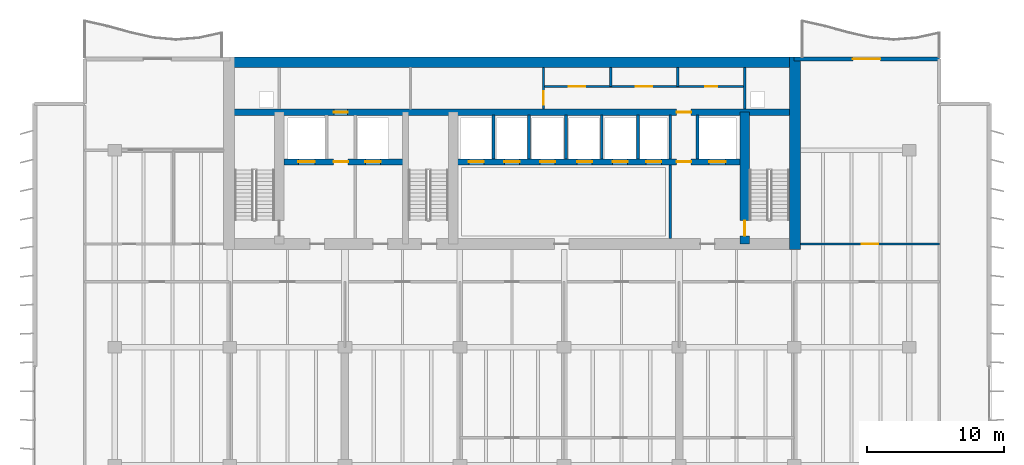
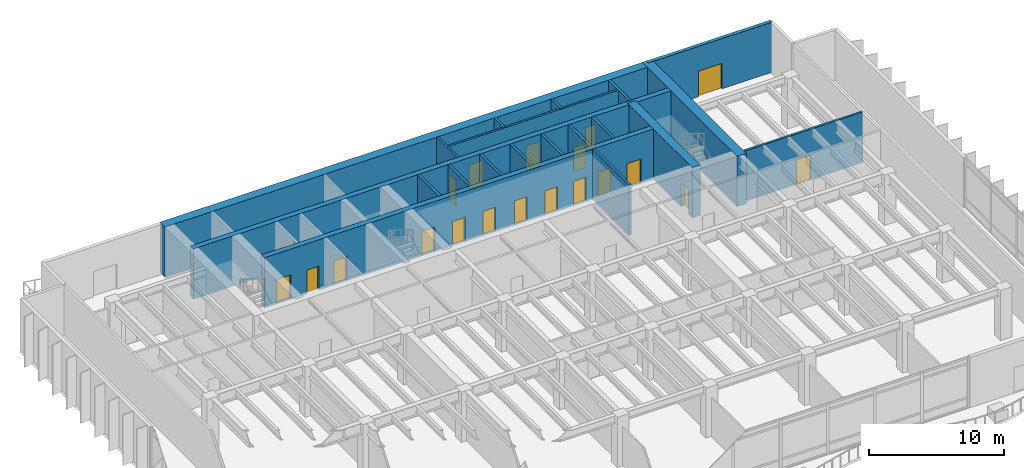
# One storey, part 11 of 16: 20 doors, 20 walls, 20 openings.
"""IFC4 building model written with IfcOpenShell, lengths in metres."""

from ifc_helpers import new_model, si_unit, direction, frame, frame_2d, origin, place, context, subcontext, project, spatial, rectangle, extrude, material, layer, layer_set, type_object, element, fill, save


model = new_model("IFC4")

# Units and contexts
model_context = context("Model", 3, precision=1e-05, world=origin(), true_north=direction((0.0, 1.0)))
body_context = subcontext(model_context, "Body", "Model", "MODEL_VIEW")
ifc_project = project(units=[si_unit("LENGTHUNIT", "METRE"), si_unit("AREAUNIT", "SQUARE_METRE"), si_unit("VOLUMEUNIT", "CUBIC_METRE"), si_unit("PLANEANGLEUNIT", "RADIAN"), si_unit("MASSUNIT", "GRAM", prefix="KILO")], contexts=[model_context])

# Site, building, storey
site_placement = place(None, origin())
site = spatial("IfcSite", under=ifc_project, at=site_placement, CompositionType="ELEMENT")
building_placement = place(site_placement, origin())
building = spatial("IfcBuilding", under=site, at=building_placement, Name="Caelmar Bay Residences", CompositionType="ELEMENT")
storey_placement = place(building_placement, frame((0.0, 0.0, 97.800048828125)))
storey = spatial("IfcBuildingStorey", under=building, at=storey_placement, Name="L26", CompositionType="ELEMENT", Elevation=97.800048828125)

# Wall, opening, door
ifc_material_1 = material(Name="Concrete f'c 55 MPa (8,000 psi)", Category="concrete")
ifc_layer_1 = layer(ifc_material_1, 0.699951171875)
ifc_layer_set_1 = layer_set([ifc_layer_1], Name="Concrete f'c 55 MPa (8,000 psi)")
wall_type_1 = type_object("IfcWallType", Name="SW-COR-700", PredefinedType="SHEAR", material=ifc_layer_set_1)
wall_1_placement = place(storey_placement, frame((55.89990234375, 36.949951171875, 0.0), z_axis=(0.0, 0.0, 1.0), x_axis=(0.0, 1.0, 0.0)))
wall_1 = element("IfcWall", 1, at=wall_1_placement, inside=storey, type_object=wall_type_1, Name="L26 Core Structural Web Wall ST2W", PredefinedType="SHEAR", context=body_context, shape_type="SweptSolid", body=[
    extrude(rectangle(XDim=9.625, YDim=0.699951171875, at=frame_2d((4.8125, 0.0))), origin(), (0.0, 0.0, 1.0), 4.550048828125),
])
opening_1_placement = place(wall_1_placement, frame((0.60009765625, 0.0, 0.0)))
opening_1 = element("IfcOpeningElement", 2, at=opening_1_placement, cuts=wall_1, Name="Opening D-L26-115", PredefinedType="OPENING", context=body_context, shape_type="SweptSolid", body=[
    extrude(rectangle(XDim=1.10009765625, YDim=2.14990234375, at=frame_2d((0.550048828125, 1.074951171875))), frame((0.0, 0.35986328125, 0.0), z_axis=(0.0, -1.0, 0.0), x_axis=(1.0, 0.0, 0.0)), (0.0, 0.0, 1.0), 0.719970703125),
])
ifc_material_2 = material(Name="Fire-rated steel and walnut architectural door assembly", Category="steel")
ifc_layer_2 = layer(ifc_material_2, 0.050048828125)
ifc_layer_set_2 = layer_set([ifc_layer_2], Name="Fire-rated steel and walnut architectural door assembly")
door_type_1 = type_object("IfcDoorType", Name="D-STAIR-1100", OperationType="NOTDEFINED", PredefinedType="DOOR", material=ifc_layer_set_2)
door_1_placement = place(opening_1_placement, origin())
door_1 = element("IfcDoor", 3, at=door_1_placement, inside=storey, type_object=door_type_1, Name="L26 Firefighting Lobby East Door", OperationType="SINGLE_SWING_RIGHT", OverallHeight=2.14990234375, OverallWidth=1.10009765625, PredefinedType="DOOR", context=body_context, shape_type="SweptSolid", body=[
    extrude(rectangle(XDim=1.10009765625, YDim=2.14990234375, at=frame_2d((0.550048828125, 1.074951171875))), frame((0.0, 0.02490234375, 0.0), z_axis=(0.0, -1.0, 0.0), x_axis=(1.0, 0.0, 0.0)), (0.0, 0.0, 1.0), 0.050048828125),
])
fill(opening_1, door_1)

# Walls
ifc_material_3 = material(Name="Concrete f'c 70 MPa (10,000 psi)", Category="concrete")
ifc_layer_3 = layer(ifc_material_3, 0.800048828125)
ifc_layer_set_3 = layer_set([ifc_layer_3], Name="Concrete f'c 70 MPa (10,000 psi)")
wall_type_2 = type_object("IfcWallType", Name="SW-COR-800", PredefinedType="SHEAR", material=ifc_layer_set_3)
wall_2_placement = place(storey_placement, frame((59.550048828125, 36.550048828125, 0.0), z_axis=(0.0, 0.0, 1.0), x_axis=(0.0, 1.0, 0.0)))
element("IfcWall", 4, at=wall_2_placement, inside=storey, type_object=wall_type_2, Name="L26 Rear Core East Shear Wall", PredefinedType="SHEAR", context=body_context, shape_type="SweptSolid", body=[
    extrude(rectangle(XDim=14.050048828125, YDim=0.800048828125, at=frame_2d((7.02490234375, 0.0))), origin(), (0.0, 0.0, 1.0), 4.550048828125),
])
ifc_layer_4 = layer(ifc_material_3, 0.75)
ifc_layer_set_4 = layer_set([ifc_layer_4], Name="Concrete f'c 70 MPa (10,000 psi)")
wall_type_3 = type_object("IfcWallType", Name="SW-CORN-750", PredefinedType="SHEAR", material=ifc_layer_set_4)
wall_3_placement = place(storey_placement, frame((17.85009765625, 50.22509765625, 0.0), z_axis=(0.0, 0.0, 1.0), x_axis=(1.0, 0.0, 0.0)))
element("IfcWall", 5, at=wall_3_placement, inside=storey, type_object=wall_type_3, Name="L26 Rear Core North Shear Wall", PredefinedType="SHEAR", context=body_context, shape_type="SweptSolid", body=[
    extrude(rectangle(XDim=42.099853515625, YDim=0.75, at=frame_2d((21.0498046875, 0.0))), origin(), (0.0, 0.0, 1.0), 4.550048828125),
])

# Wall, openings, doors
ifc_layer_5 = layer(ifc_material_3, 0.449951171875)
ifc_layer_set_5 = layer_set([ifc_layer_5], Name="Concrete f'c 70 MPa (10,000 psi)")
wall_type_4 = type_object("IfcWallType", Name="SW-WEB-450", PredefinedType="SHEAR", material=ifc_layer_set_5)
wall_4_placement = place(storey_placement, frame((22.25, 42.949951171875, 0.0), z_axis=(0.0, 0.0, 1.0), x_axis=(1.0, 0.0, 0.0)))
wall_4 = element("IfcWall", 6, at=wall_4_placement, inside=storey, type_object=wall_type_4, Name="L26 Core Structural Web Wall LFR", PredefinedType="SHEAR", context=body_context, shape_type="SweptSolid", body=[
    extrude(rectangle(XDim=33.300048828125, YDim=0.449951171875, at=frame_2d((16.64990234375, 0.0))), origin(), (0.0, 0.0, 1.0), 4.550048828125),
])
opening_2_placement = place(wall_4_placement, frame((1.050048828125, 0.0, 0.0)))
opening_2 = element("IfcOpeningElement", 7, at=opening_2_placement, cuts=wall_4, Name="Opening LD2", PredefinedType="OPENING", context=body_context, shape_type="SweptSolid", body=[
    extrude(rectangle(XDim=1.199951171875, YDim=2.199951171875, at=frame_2d((0.60009765625, 1.10009765625))), frame((0.0, 0.23486328125, 0.0), z_axis=(0.0, -1.0, 0.0), x_axis=(1.0, 0.0, 0.0)), (0.0, 0.0, 1.0), 0.469970703125),
])
opening_3_placement = place(wall_4_placement, frame((31.050048828125, 0.0, 0.0)))
opening_3 = element("IfcOpeningElement", 8, at=opening_3_placement, cuts=wall_4, Name="Opening LD2", PredefinedType="OPENING", context=body_context, shape_type="SweptSolid", body=[
    extrude(rectangle(XDim=1.199951171875, YDim=2.199951171875, at=frame_2d((0.60009765625, 1.10009765625))), frame((0.0, 0.23486328125, 0.0), z_axis=(0.0, -1.0, 0.0), x_axis=(1.0, 0.0, 0.0)), (0.0, 0.0, 1.0), 0.469970703125),
])
opening_4_placement = place(wall_4_placement, frame((13.5, 0.0, 0.0)))
opening_4 = element("IfcOpeningElement", 9, at=opening_4_placement, cuts=wall_4, Name="Opening LD1", PredefinedType="OPENING", context=body_context, shape_type="SweptSolid", body=[
    extrude(rectangle(XDim=1.10009765625, YDim=2.199951171875, at=frame_2d((0.550048828125, 1.10009765625))), frame((0.0, 0.23486328125, 0.0), z_axis=(0.0, -1.0, 0.0), x_axis=(1.0, 0.0, 0.0)), (0.0, 0.0, 1.0), 0.469970703125),
])
opening_5_placement = place(wall_4_placement, frame((16.10009765625, 0.0, 0.0)))
opening_5 = element("IfcOpeningElement", 10, at=opening_5_placement, cuts=wall_4, Name="Opening LD1", PredefinedType="OPENING", context=body_context, shape_type="SweptSolid", body=[
    extrude(rectangle(XDim=1.10009765625, YDim=2.199951171875, at=frame_2d((0.550048828125, 1.10009765625))), frame((0.0, 0.23486328125, 0.0), z_axis=(0.0, -1.0, 0.0), x_axis=(1.0, 0.0, 0.0)), (0.0, 0.0, 1.0), 0.469970703125),
])
opening_6_placement = place(wall_4_placement, frame((18.699951171875, 0.0, 0.0)))
opening_6 = element("IfcOpeningElement", 11, at=opening_6_placement, cuts=wall_4, Name="Opening LD1", PredefinedType="OPENING", context=body_context, shape_type="SweptSolid", body=[
    extrude(rectangle(XDim=1.10009765625, YDim=2.199951171875, at=frame_2d((0.550048828125, 1.10009765625))), frame((0.0, 0.23486328125, 0.0), z_axis=(0.0, -1.0, 0.0), x_axis=(1.0, 0.0, 0.0)), (0.0, 0.0, 1.0), 0.469970703125),
])
opening_7_placement = place(wall_4_placement, frame((21.39990234375, 0.0, 0.0)))
opening_7 = element("IfcOpeningElement", 12, at=opening_7_placement, cuts=wall_4, Name="Opening LD1", PredefinedType="OPENING", context=body_context, shape_type="SweptSolid", body=[
    extrude(rectangle(XDim=1.10009765625, YDim=2.199951171875, at=frame_2d((0.550048828125, 1.10009765625))), frame((0.0, 0.23486328125, 0.0), z_axis=(0.0, -1.0, 0.0), x_axis=(1.0, 0.0, 0.0)), (0.0, 0.0, 1.0), 0.469970703125),
])
opening_8_placement = place(wall_4_placement, frame((24.0, 0.0, 0.0)))
opening_8 = element("IfcOpeningElement", 13, at=opening_8_placement, cuts=wall_4, Name="Opening LD1", PredefinedType="OPENING", context=body_context, shape_type="SweptSolid", body=[
    extrude(rectangle(XDim=1.10009765625, YDim=2.199951171875, at=frame_2d((0.550048828125, 1.10009765625))), frame((0.0, 0.23486328125, 0.0), z_axis=(0.0, -1.0, 0.0), x_axis=(1.0, 0.0, 0.0)), (0.0, 0.0, 1.0), 0.469970703125),
])
opening_9_placement = place(wall_4_placement, frame((26.449951171875, 0.0, 0.0)))
opening_9 = element("IfcOpeningElement", 14, at=opening_9_placement, cuts=wall_4, Name="Opening LD1", PredefinedType="OPENING", context=body_context, shape_type="SweptSolid", body=[
    extrude(rectangle(XDim=1.10009765625, YDim=2.199951171875, at=frame_2d((0.550048828125, 1.10009765625))), frame((0.0, 0.23486328125, 0.0), z_axis=(0.0, -1.0, 0.0), x_axis=(1.0, 0.0, 0.0)), (0.0, 0.0, 1.0), 0.469970703125),
])
opening_10_placement = place(wall_4_placement, frame((5.949951171875, 0.0, 0.0)))
opening_10 = element("IfcOpeningElement", 15, at=opening_10_placement, cuts=wall_4, Name="Opening LD1", PredefinedType="OPENING", context=body_context, shape_type="SweptSolid", body=[
    extrude(rectangle(XDim=1.10009765625, YDim=2.199951171875, at=frame_2d((0.550048828125, 1.10009765625))), frame((0.0, 0.23486328125, 0.0), z_axis=(0.0, -1.0, 0.0), x_axis=(1.0, 0.0, 0.0)), (0.0, 0.0, 1.0), 0.469970703125),
])
opening_11_placement = place(wall_4_placement, frame((3.625, 0.0, 0.0)))
opening_11 = element("IfcOpeningElement", 16, at=opening_11_placement, cuts=wall_4, Name="Opening D-L26-113", PredefinedType="OPENING", context=body_context, shape_type="SweptSolid", body=[
    extrude(rectangle(XDim=1.050048828125, YDim=2.14990234375, at=frame_2d((0.52490234375, 1.074951171875))), frame((0.0, 0.23486328125, 0.0), z_axis=(0.0, -1.0, 0.0), x_axis=(1.0, 0.0, 0.0)), (0.0, 0.0, 1.0), 0.469970703125),
])
opening_12_placement = place(wall_4_placement, frame((28.675048828125, 0.0, 0.0)))
opening_12 = element("IfcOpeningElement", 17, at=opening_12_placement, cuts=wall_4, Name="Opening D-L26-116", PredefinedType="OPENING", context=body_context, shape_type="SweptSolid", body=[
    extrude(rectangle(XDim=1.050048828125, YDim=2.14990234375, at=frame_2d((0.52490234375, 1.074951171875))), frame((0.0, 0.23486328125, 0.0), z_axis=(0.0, -1.0, 0.0), x_axis=(1.0, 0.0, 0.0)), (0.0, 0.0, 1.0), 0.469970703125),
])
ifc_layer_6 = layer(ifc_material_2, 0.050048828125)
ifc_layer_set_6 = layer_set([ifc_layer_6], Name="Fire-rated steel and walnut architectural door assembly")
door_type_2 = type_object("IfcDoorType", Name="D-FSAE-1050", OperationType="NOTDEFINED", PredefinedType="DOOR", material=ifc_layer_set_6)
door_2_placement = place(opening_11_placement, origin())
door_2 = element("IfcDoor", 18, at=door_2_placement, inside=storey, type_object=door_type_2, Name="L26 Firefighting Lobby West Door", OperationType="SINGLE_SWING_RIGHT", OverallHeight=2.14990234375, OverallWidth=1.050048828125, PredefinedType="DOOR", context=body_context, shape_type="SweptSolid", body=[
    extrude(rectangle(XDim=1.050048828125, YDim=2.14990234375, at=frame_2d((0.52490234375, 1.074951171875))), frame((0.0, 0.02490234375, 0.0), z_axis=(0.0, -1.0, 0.0), x_axis=(1.0, 0.0, 0.0)), (0.0, 0.0, 1.0), 0.050048828125),
])
fill(opening_11, door_2)
door_3_placement = place(opening_12_placement, origin())
door_3 = element("IfcDoor", 19, at=door_3_placement, inside=storey, type_object=door_type_2, Name="L26 Firefighting Lobby East Door", OperationType="SINGLE_SWING_LEFT", OverallHeight=2.14990234375, OverallWidth=1.050048828125, PredefinedType="DOOR", context=body_context, shape_type="SweptSolid", body=[
    extrude(rectangle(XDim=1.050048828125, YDim=2.14990234375, at=frame_2d((0.52490234375, 1.074951171875))), frame((0.0, 0.02490234375, 0.0), z_axis=(0.0, -1.0, 0.0), x_axis=(1.0, 0.0, 0.0)), (0.0, 0.0, 1.0), 0.050048828125),
])
fill(opening_12, door_3)
ifc_material_4 = material(Name="Brushed bronze stainless-steel fire-rated lift landing doors", Category="steel")
ifc_layer_7 = layer(ifc_material_4, 0.050048828125)
ifc_layer_set_7 = layer_set([ifc_layer_7], Name="Brushed bronze stainless-steel fire-rated lift landing doors")
door_type_3 = type_object("IfcDoorType", Name="D-LND-1100", OperationType="DOUBLE_DOOR_SLIDING", PredefinedType="DOOR", material=ifc_layer_set_7)
door_4_placement = place(opening_4_placement, origin())
door_4 = element("IfcDoor", 20, at=door_4_placement, inside=storey, type_object=door_type_3, Name="L26 LP1 Sliding Landing Door", OperationType="DOUBLE_DOOR_SLIDING", OverallHeight=2.199951171875, OverallWidth=1.10009765625, PredefinedType="DOOR", context=body_context, shape_type="SweptSolid", body=[
    extrude(rectangle(XDim=1.10009765625, YDim=2.199951171875, at=frame_2d((0.550048828125, 1.10009765625))), frame((0.0, 0.02490234375, 0.0), z_axis=(0.0, -1.0, 0.0), x_axis=(1.0, 0.0, 0.0)), (0.0, 0.0, 1.0), 0.050048828125),
])
fill(opening_4, door_4)
door_5_placement = place(opening_5_placement, origin())
door_5 = element("IfcDoor", 21, at=door_5_placement, inside=storey, type_object=door_type_3, Name="L26 LP2 Sliding Landing Door", OperationType="DOUBLE_DOOR_SLIDING", OverallHeight=2.199951171875, OverallWidth=1.10009765625, PredefinedType="DOOR", context=body_context, shape_type="SweptSolid", body=[
    extrude(rectangle(XDim=1.10009765625, YDim=2.199951171875, at=frame_2d((0.550048828125, 1.10009765625))), frame((0.0, 0.02490234375, 0.0), z_axis=(0.0, -1.0, 0.0), x_axis=(1.0, 0.0, 0.0)), (0.0, 0.0, 1.0), 0.050048828125),
])
fill(opening_5, door_5)
door_6_placement = place(opening_6_placement, origin())
door_6 = element("IfcDoor", 22, at=door_6_placement, inside=storey, type_object=door_type_3, Name="L26 LP3 Sliding Landing Door", OperationType="DOUBLE_DOOR_SLIDING", OverallHeight=2.199951171875, OverallWidth=1.10009765625, PredefinedType="DOOR", context=body_context, shape_type="SweptSolid", body=[
    extrude(rectangle(XDim=1.10009765625, YDim=2.199951171875, at=frame_2d((0.550048828125, 1.10009765625))), frame((0.0, 0.02490234375, 0.0), z_axis=(0.0, -1.0, 0.0), x_axis=(1.0, 0.0, 0.0)), (0.0, 0.0, 1.0), 0.050048828125),
])
fill(opening_6, door_6)
door_7_placement = place(opening_7_placement, origin())
door_7 = element("IfcDoor", 23, at=door_7_placement, inside=storey, type_object=door_type_3, Name="L26 LP4 Sliding Landing Door", OperationType="DOUBLE_DOOR_SLIDING", OverallHeight=2.199951171875, OverallWidth=1.10009765625, PredefinedType="DOOR", context=body_context, shape_type="SweptSolid", body=[
    extrude(rectangle(XDim=1.10009765625, YDim=2.199951171875, at=frame_2d((0.550048828125, 1.10009765625))), frame((0.0, 0.02490234375, 0.0), z_axis=(0.0, -1.0, 0.0), x_axis=(1.0, 0.0, 0.0)), (0.0, 0.0, 1.0), 0.050048828125),
])
fill(opening_7, door_7)
door_8_placement = place(opening_8_placement, origin())
door_8 = element("IfcDoor", 24, at=door_8_placement, inside=storey, type_object=door_type_3, Name="L26 LP5 Sliding Landing Door", OperationType="DOUBLE_DOOR_SLIDING", OverallHeight=2.199951171875, OverallWidth=1.10009765625, PredefinedType="DOOR", context=body_context, shape_type="SweptSolid", body=[
    extrude(rectangle(XDim=1.10009765625, YDim=2.199951171875, at=frame_2d((0.550048828125, 1.10009765625))), frame((0.0, 0.02490234375, 0.0), z_axis=(0.0, -1.0, 0.0), x_axis=(1.0, 0.0, 0.0)), (0.0, 0.0, 1.0), 0.050048828125),
])
fill(opening_8, door_8)
door_9_placement = place(opening_9_placement, origin())
door_9 = element("IfcDoor", 25, at=door_9_placement, inside=storey, type_object=door_type_3, Name="L26 LP6 Sliding Landing Door", OperationType="DOUBLE_DOOR_SLIDING", OverallHeight=2.199951171875, OverallWidth=1.10009765625, PredefinedType="DOOR", context=body_context, shape_type="SweptSolid", body=[
    extrude(rectangle(XDim=1.10009765625, YDim=2.199951171875, at=frame_2d((0.550048828125, 1.10009765625))), frame((0.0, 0.02490234375, 0.0), z_axis=(0.0, -1.0, 0.0), x_axis=(1.0, 0.0, 0.0)), (0.0, 0.0, 1.0), 0.050048828125),
])
fill(opening_9, door_9)
door_10_placement = place(opening_10_placement, origin())
door_10 = element("IfcDoor", 26, at=door_10_placement, inside=storey, type_object=door_type_3, Name="L26 LP7 Sliding Landing Door", OperationType="DOUBLE_DOOR_SLIDING", OverallHeight=2.199951171875, OverallWidth=1.10009765625, PredefinedType="DOOR", context=body_context, shape_type="SweptSolid", body=[
    extrude(rectangle(XDim=1.10009765625, YDim=2.199951171875, at=frame_2d((0.550048828125, 1.10009765625))), frame((0.0, 0.02490234375, 0.0), z_axis=(0.0, -1.0, 0.0), x_axis=(1.0, 0.0, 0.0)), (0.0, 0.0, 1.0), 0.050048828125),
])
fill(opening_10, door_10)
ifc_material_5 = material(Name="Brushed stainless-steel FSAE sliding landing door", Category="steel")
ifc_layer_8 = layer(ifc_material_5, 0.050048828125)
ifc_layer_set_8 = layer_set([ifc_layer_8], Name="Brushed stainless-steel FSAE sliding landing door")
door_type_4 = type_object("IfcDoorType", Name="D-LND-1200", OperationType="DOUBLE_DOOR_SLIDING", PredefinedType="DOOR", material=ifc_layer_set_8)
door_11_placement = place(opening_2_placement, origin())
door_11 = element("IfcDoor", 27, at=door_11_placement, inside=storey, type_object=door_type_4, Name="L26 LF1 Sliding Landing Door", OperationType="DOUBLE_DOOR_SLIDING", OverallHeight=2.199951171875, OverallWidth=1.199951171875, PredefinedType="DOOR", context=body_context, shape_type="SweptSolid", body=[
    extrude(rectangle(XDim=1.199951171875, YDim=2.199951171875, at=frame_2d((0.60009765625, 1.10009765625))), frame((0.0, 0.02490234375, 0.0), z_axis=(0.0, -1.0, 0.0), x_axis=(1.0, 0.0, 0.0)), (0.0, 0.0, 1.0), 0.050048828125),
])
fill(opening_2, door_11)
door_12_placement = place(opening_3_placement, origin())
door_12 = element("IfcDoor", 28, at=door_12_placement, inside=storey, type_object=door_type_4, Name="L26 LF2 Sliding Landing Door", OperationType="DOUBLE_DOOR_SLIDING", OverallHeight=2.199951171875, OverallWidth=1.199951171875, PredefinedType="DOOR", context=body_context, shape_type="SweptSolid", body=[
    extrude(rectangle(XDim=1.199951171875, YDim=2.199951171875, at=frame_2d((0.60009765625, 1.10009765625))), frame((0.0, 0.02490234375, 0.0), z_axis=(0.0, -1.0, 0.0), x_axis=(1.0, 0.0, 0.0)), (0.0, 0.0, 1.0), 0.050048828125),
])
fill(opening_3, door_12)

wall_5_placement = place(storey_placement, frame((18.25, 46.574951171875, 0.0), z_axis=(0.0, 0.0, 1.0), x_axis=(1.0, 0.0, 0.0)))
wall_5 = element("IfcWall", 29, at=wall_5_placement, inside=storey, type_object=wall_type_4, Name="L26 Core Structural Web Wall SRVS", PredefinedType="SHEAR", context=body_context, shape_type="SweptSolid", body=[
    extrude(rectangle(XDim=41.300048828125, YDim=0.449951171875, at=frame_2d((20.64990234375, 0.0))), origin(), (0.0, 0.0, 1.0), 4.550048828125),
])
opening_13_placement = place(wall_5_placement, frame((7.64990234375, 0.0, 0.0)))
opening_13 = element("IfcOpeningElement", 30, at=opening_13_placement, cuts=wall_5, Name="Opening D-L26-119", PredefinedType="OPENING", context=body_context, shape_type="SweptSolid", body=[
    extrude(rectangle(XDim=1.0, YDim=2.199951171875, at=frame_2d((0.5, 1.10009765625))), frame((0.0, 0.23486328125, 0.0), z_axis=(0.0, -1.0, 0.0), x_axis=(1.0, 0.0, 0.0)), (0.0, 0.0, 1.0), 0.469970703125),
])
opening_14_placement = place(wall_5_placement, frame((32.675048828125, 0.0, 0.0)))
opening_14 = element("IfcOpeningElement", 31, at=opening_14_placement, cuts=wall_5, Name="Opening D-L26-120", PredefinedType="OPENING", context=body_context, shape_type="SweptSolid", body=[
    extrude(rectangle(XDim=1.050048828125, YDim=2.14990234375, at=frame_2d((0.52490234375, 1.074951171875))), frame((0.0, 0.23486328125, 0.0), z_axis=(0.0, -1.0, 0.0), x_axis=(1.0, 0.0, 0.0)), (0.0, 0.0, 1.0), 0.469970703125),
])
door_13_placement = place(opening_14_placement, origin())
door_13 = element("IfcDoor", 32, at=door_13_placement, inside=storey, type_object=door_type_2, Name="L26 East Core Service Corridor Door", OperationType="SINGLE_SWING_LEFT", OverallHeight=2.14990234375, OverallWidth=1.050048828125, PredefinedType="DOOR", context=body_context, shape_type="SweptSolid", body=[
    extrude(rectangle(XDim=1.050048828125, YDim=2.14990234375, at=frame_2d((0.52490234375, 1.074951171875))), frame((0.0, 0.02490234375, 0.0), z_axis=(0.0, -1.0, 0.0), x_axis=(1.0, 0.0, 0.0)), (0.0, 0.0, 1.0), 0.050048828125),
])
fill(opening_14, door_13)
ifc_layer_9 = layer(ifc_material_2, 0.050048828125)
ifc_layer_set_9 = layer_set([ifc_layer_9], Name="Fire-rated steel and walnut architectural door assembly")
door_type_5 = type_object("IfcDoorType", Name="D-UNIT-1000", OperationType="NOTDEFINED", PredefinedType="DOOR", material=ifc_layer_set_9)
door_14_placement = place(opening_13_placement, origin())
door_14 = element("IfcDoor", 33, at=door_14_placement, inside=storey, type_object=door_type_5, Name="L26 Package Concierge Office Door", OperationType="SINGLE_SWING_RIGHT", OverallHeight=2.199951171875, OverallWidth=1.0, PredefinedType="DOOR", context=body_context, shape_type="SweptSolid", body=[
    extrude(rectangle(XDim=1.0, YDim=2.199951171875, at=frame_2d((0.5, 1.10009765625))), frame((0.0, 0.02490234375, 0.0), z_axis=(0.0, -1.0, 0.0), x_axis=(1.0, 0.0, 0.0)), (0.0, 0.0, 1.0), 0.050048828125),
])
fill(opening_13, door_14)

# Wall, opening, door
ifc_material_6 = material(Name="Double-stud acoustic fire-rated gypsum partition 180 mm")
ifc_layer_10 = layer(ifc_material_6, 0.179931640625)
ifc_layer_set_10 = layer_set([ifc_layer_10], Name="Double-stud acoustic fire-rated gypsum partition 180 mm")
wall_type_5 = type_object("IfcWallType", Name="W-COR-200", PredefinedType="PARTITIONING", material=ifc_layer_set_10)
wall_6_placement = place(storey_placement, frame((41.199951171875, 46.794921875, 0.0), z_axis=(0.0, 0.0, 1.0), x_axis=(0.0, 1.0, 0.0)))
wall_6 = element("IfcWall", 34, at=wall_6_placement, inside=storey, type_object=wall_type_5, Name="L26 Partition Wall V014", PredefinedType="PARTITIONING", context=body_context, shape_type="SweptSolid", body=[
    extrude(rectangle(XDim=3.06005859375, YDim=0.179931640625, at=frame_2d((1.530029296875, 0.0))), origin(), (0.0, 0.0, 1.0), 4.550048828125),
])
opening_15_placement = place(wall_6_placement, frame((0.327392578125, 0.0, 0.0)))
opening_15 = element("IfcOpeningElement", 35, at=opening_15_placement, cuts=wall_6, Name="Opening D-L26-121", PredefinedType="OPENING", context=body_context, shape_type="SweptSolid", body=[
    extrude(rectangle(XDim=1.0, YDim=2.199951171875, at=frame_2d((0.5, 1.10009765625))), frame((0.0, 0.099853515625, 0.0), z_axis=(0.0, -1.0, 0.0), x_axis=(1.0, 0.0, 0.0)), (0.0, 0.0, 1.0), 0.199951171875),
])
door_15_placement = place(opening_15_placement, origin())
door_15 = element("IfcDoor", 36, at=door_15_placement, inside=storey, type_object=door_type_5, Name="L26 Engineering Control Office Door", OperationType="SINGLE_SWING_RIGHT", OverallHeight=2.199951171875, OverallWidth=1.0, PredefinedType="DOOR", context=body_context, shape_type="SweptSolid", body=[
    extrude(rectangle(XDim=1.0, YDim=2.199951171875, at=frame_2d((0.5, 1.10009765625))), frame((0.0, 0.02490234375, 0.0), z_axis=(0.0, -1.0, 0.0), x_axis=(1.0, 0.0, 0.0)), (0.0, 0.0, 1.0), 0.050048828125),
])
fill(opening_15, door_15)

# Walls
for number, where, z_axis, x_axis, name in (
    (37, (46.10009765625, 48.449951171875, 0.0), (0.0, 0.0, 1.0), (0.0, 1.0, 0.0), "L26 Partition Wall V018"),
    (38, (51.0, 48.449951171875, 0.0), (0.0, 0.0, 1.0), (0.0, 1.0, 0.0), "L26 Partition Wall V022"),
):
    element("IfcWall", number, at=place(storey_placement, frame(where, z_axis=z_axis, x_axis=x_axis)), inside=storey, type_object=wall_type_5, Name=name, PredefinedType="PARTITIONING", context=body_context, shape_type="SweptSolid", body=[
        extrude(rectangle(XDim=1.405029296875, YDim=0.179931640625, at=frame_2d((0.70263671875, 0.0))), origin(), (0.0, 0.0, 1.0), 4.550048828125),
    ])

# Wall, opening, door
wall_7_placement = place(storey_placement, frame((59.955078125, 36.949951171875, 0.0), z_axis=(0.0, 0.0, 1.0), x_axis=(1.0, 0.0, 0.0)))
wall_7 = element("IfcWall", 39, at=wall_7_placement, inside=storey, type_object=wall_type_5, Name="L26 Partition Wall H035", PredefinedType="PARTITIONING", context=body_context, shape_type="SweptSolid", body=[
    extrude(rectangle(XDim=10.14501953125, YDim=0.179931640625, at=frame_2d((5.072509765625, 0.0))), origin(), (0.0, 0.0, 1.0), 4.550048828125),
])
opening_16_placement = place(wall_7_placement, frame((4.472412109375, 0.0, 0.0)))
opening_16 = element("IfcOpeningElement", 40, at=opening_16_placement, cuts=wall_7, Name="Opening D-L26-135", PredefinedType="OPENING", context=body_context, shape_type="SweptSolid", body=[
    extrude(rectangle(XDim=1.199951171875, YDim=2.199951171875, at=frame_2d((0.60009765625, 1.10009765625))), frame((0.0, 0.099853515625, 0.0), z_axis=(0.0, -1.0, 0.0), x_axis=(1.0, 0.0, 0.0)), (0.0, 0.0, 1.0), 0.199951171875),
])
ifc_layer_11 = layer(ifc_material_2, 0.050048828125)
ifc_layer_set_11 = layer_set([ifc_layer_11], Name="Fire-rated steel and walnut architectural door assembly")
door_type_6 = type_object("IfcDoorType", Name="D-PLANT-1200", OperationType="NOTDEFINED", PredefinedType="DOOR", material=ifc_layer_set_11)
door_16_placement = place(opening_16_placement, origin())
door_16 = element("IfcDoor", 41, at=door_16_placement, inside=storey, type_object=door_type_6, Name="L26 Sky Lobby 1 Fan Plant Room Door", OperationType="SINGLE_SWING_RIGHT", OverallHeight=2.199951171875, OverallWidth=1.199951171875, PredefinedType="DOOR", context=body_context, shape_type="SweptSolid", body=[
    extrude(rectangle(XDim=1.199951171875, YDim=2.199951171875, at=frame_2d((0.60009765625, 1.10009765625))), frame((0.0, 0.02490234375, 0.0), z_axis=(0.0, -1.0, 0.0), x_axis=(1.0, 0.0, 0.0)), (0.0, 0.0, 1.0), 0.050048828125),
])
fill(opening_16, door_16)

# Wall, openings, doors
wall_8_placement = place(storey_placement, frame((41.199951171875, 48.449951171875, 0.0), z_axis=(0.0, 0.0, 1.0), x_axis=(1.0, 0.0, 0.0)))
wall_8 = element("IfcWall", 42, at=wall_8_placement, inside=storey, type_object=wall_type_5, Name="L26 Partition Wall H038", PredefinedType="PARTITIONING", context=body_context, shape_type="SweptSolid", body=[
    extrude(rectangle(XDim=14.699951171875, YDim=0.179931640625, at=frame_2d((7.35009765625, 0.0))), origin(), (0.0, 0.0, 1.0), 4.550048828125),
])
opening_17_placement = place(wall_8_placement, frame((1.85009765625, 0.0, 0.0)))
opening_17 = element("IfcOpeningElement", 43, at=opening_17_placement, cuts=wall_8, Name="Opening D-L26-122", PredefinedType="OPENING", context=body_context, shape_type="SweptSolid", body=[
    extrude(rectangle(XDim=1.199951171875, YDim=2.199951171875, at=frame_2d((0.60009765625, 1.10009765625))), frame((0.0, 0.099853515625, 0.0), z_axis=(0.0, -1.0, 0.0), x_axis=(1.0, 0.0, 0.0)), (0.0, 0.0, 1.0), 0.199951171875),
])
opening_18_placement = place(wall_8_placement, frame((6.75, 0.0, 0.0)))
opening_18 = element("IfcOpeningElement", 44, at=opening_18_placement, cuts=wall_8, Name="Opening D-L26-123", PredefinedType="OPENING", context=body_context, shape_type="SweptSolid", body=[
    extrude(rectangle(XDim=1.199951171875, YDim=2.199951171875, at=frame_2d((0.60009765625, 1.10009765625))), frame((0.0, 0.099853515625, 0.0), z_axis=(0.0, -1.0, 0.0), x_axis=(1.0, 0.0, 0.0)), (0.0, 0.0, 1.0), 0.199951171875),
])
opening_19_placement = place(wall_8_placement, frame((11.824951171875, 0.0, 0.0)))
opening_19 = element("IfcOpeningElement", 45, at=opening_19_placement, cuts=wall_8, Name="Opening D-L26-124", PredefinedType="OPENING", context=body_context, shape_type="SweptSolid", body=[
    extrude(rectangle(XDim=0.85009765625, YDim=2.10009765625, at=frame_2d((0.425048828125, 1.050048828125))), frame((0.0, 0.099853515625, 0.0), z_axis=(0.0, -1.0, 0.0), x_axis=(1.0, 0.0, 0.0)), (0.0, 0.0, 1.0), 0.199951171875),
])
ifc_layer_12 = layer(ifc_material_2, 0.050048828125)
ifc_layer_set_12 = layer_set([ifc_layer_12], Name="Fire-rated steel and walnut architectural door assembly")
door_type_7 = type_object("IfcDoorType", Name="D-CORE-850", OperationType="NOTDEFINED", PredefinedType="DOOR", material=ifc_layer_set_12)
door_17_placement = place(opening_19_placement, origin())
door_17 = element("IfcDoor", 46, at=door_17_placement, inside=storey, type_object=door_type_7, Name="L26 Accessible Staff WC Door", OperationType="SINGLE_SWING_LEFT", OverallHeight=2.10009765625, OverallWidth=0.85009765625, PredefinedType="DOOR", context=body_context, shape_type="SweptSolid", body=[
    extrude(rectangle(XDim=0.85009765625, YDim=2.10009765625, at=frame_2d((0.425048828125, 1.050048828125))), frame((0.0, 0.02490234375, 0.0), z_axis=(0.0, -1.0, 0.0), x_axis=(1.0, 0.0, 0.0)), (0.0, 0.0, 1.0), 0.050048828125),
])
fill(opening_19, door_17)
door_18_placement = place(opening_17_placement, origin())
door_18 = element("IfcDoor", 47, at=door_18_placement, inside=storey, type_object=door_type_6, Name="L26 Electrical Closet Door", OperationType="SINGLE_SWING_LEFT", OverallHeight=2.199951171875, OverallWidth=1.199951171875, PredefinedType="DOOR", context=body_context, shape_type="SweptSolid", body=[
    extrude(rectangle(XDim=1.199951171875, YDim=2.199951171875, at=frame_2d((0.60009765625, 1.10009765625))), frame((0.0, 0.02490234375, 0.0), z_axis=(0.0, -1.0, 0.0), x_axis=(1.0, 0.0, 0.0)), (0.0, 0.0, 1.0), 0.050048828125),
])
fill(opening_17, door_18)
door_19_placement = place(opening_18_placement, origin())
door_19 = element("IfcDoor", 48, at=door_19_placement, inside=storey, type_object=door_type_6, Name="L26 Housekeeping Linen Closet Door", OperationType="SINGLE_SWING_RIGHT", OverallHeight=2.199951171875, OverallWidth=1.199951171875, PredefinedType="DOOR", context=body_context, shape_type="SweptSolid", body=[
    extrude(rectangle(XDim=1.199951171875, YDim=2.199951171875, at=frame_2d((0.60009765625, 1.10009765625))), frame((0.0, 0.02490234375, 0.0), z_axis=(0.0, -1.0, 0.0), x_axis=(1.0, 0.0, 0.0)), (0.0, 0.0, 1.0), 0.050048828125),
])
fill(opening_18, door_19)

# Wall, opening, door
ifc_material_7 = material(Name="Precast concrete f'c 40 MPa (6,000 psi)", Category="concrete")
ifc_layer_13 = layer(ifc_material_7, 0.300048828125)
ifc_layer_set_13 = layer_set([ifc_layer_13], Name="Precast concrete f'c 40 MPa (6,000 psi)")
wall_type_6 = type_object("IfcWallType", Name="W-EXT-300", PredefinedType="STANDARD", material=ifc_layer_set_13)
wall_9_placement = place(storey_placement, frame((59.5, 50.449951171875, 0.0), z_axis=(0.0, 0.0, 1.0), x_axis=(1.0, 0.0, 0.0)))
wall_9 = element("IfcWall", 49, at=wall_9_placement, inside=storey, type_object=wall_type_6, Name="L26 North-East Wing Exterior Wall", PredefinedType="STANDARD", context=body_context, shape_type="SweptSolid", body=[
    extrude(rectangle(XDim=10.60009765625, YDim=0.300048828125, at=frame_2d((5.300048828125, 0.0))), origin(), (0.0, 0.0, 1.0), 4.550048828125),
])
opening_20_placement = place(wall_9_placement, frame((4.300048828125, 0.0, 0.0)))
opening_20 = element("IfcOpeningElement", 50, at=opening_20_placement, cuts=wall_9, Name="Opening L26-BDNE", PredefinedType="OPENING", context=body_context, shape_type="SweptSolid", body=[
    extrude(rectangle(XDim=2.0, YDim=2.300048828125, at=frame_2d((1.0, 1.14990234375))), frame((0.0, 0.159912109375, 0.0), z_axis=(0.0, -1.0, 0.0), x_axis=(1.0, 0.0, 0.0)), (0.0, 0.0, 1.0), 0.320068359375),
])
ifc_material_8 = material(Name="Anodised bronze thermally broken sliding glass door", Category="glass")
ifc_layer_14 = layer(ifc_material_8, 0.050048828125)
ifc_layer_set_14 = layer_set([ifc_layer_14], Name="Anodised bronze thermally broken sliding glass door")
door_type_8 = type_object("IfcDoorType", Name="D-BAL-2000", OperationType="DOUBLE_DOOR_SLIDING", PredefinedType="DOOR", material=ifc_layer_set_14)
door_20_placement = place(opening_20_placement, origin())
door_20 = element("IfcDoor", 51, at=door_20_placement, inside=storey, type_object=door_type_8, Name="L26 North-East Balcony Door", OperationType="DOUBLE_DOOR_SLIDING", OverallHeight=2.300048828125, OverallWidth=2.0, PredefinedType="DOOR", context=body_context, shape_type="SweptSolid", body=[
    extrude(rectangle(XDim=2.0, YDim=2.300048828125, at=frame_2d((1.0, 1.14990234375))), frame((0.0, 0.02490234375, 0.0), z_axis=(0.0, -1.0, 0.0), x_axis=(1.0, 0.0, 0.0)), (0.0, 0.0, 1.0), 0.050048828125),
])
fill(opening_20, door_20)

# Walls
ifc_material_9 = material(Name="Fire-rated masonry and gypsum shaftliner assembly 200 mm", Category="masonry")
ifc_layer_15 = layer(ifc_material_9, 0.199951171875)
ifc_layer_set_15 = layer_set([ifc_layer_15], Name="Fire-rated masonry and gypsum shaftliner assembly 200 mm")
wall_type_7 = type_object("IfcWallType", Name="W-FSAE-200", PredefinedType="PARTITIONING", material=ifc_layer_set_15)
for number, where, z_axis, x_axis, name in (
    (52, (37.550048828125, 43.169921875, 0.0), (0.0, 0.0, 1.0), (0.0, 1.0, 0.0), "L26 Partition Wall V012"),
    (53, (40.14990234375, 43.169921875, 0.0), (0.0, 0.0, 1.0), (0.0, 1.0, 0.0), "L26 Partition Wall V013"),
    (54, (42.85009765625, 43.169921875, 0.0), (0.0, 0.0, 1.0), (0.0, 1.0, 0.0), "L26 Partition Wall V016"),
    (55, (45.449951171875, 43.169921875, 0.0), (0.0, 0.0, 1.0), (0.0, 1.0, 0.0), "L26 Partition Wall V017"),
    (56, (48.10009765625, 43.169921875, 0.0), (0.0, 0.0, 1.0), (0.0, 1.0, 0.0), "L26 Partition Wall V019"),
):
    element("IfcWall", number, at=place(storey_placement, frame(where, z_axis=z_axis, x_axis=x_axis)), inside=storey, type_object=wall_type_7, Name=name, PredefinedType="PARTITIONING", context=body_context, shape_type="SweptSolid", body=[
        extrude(rectangle(XDim=3.18505859375, YDim=0.199951171875, at=frame_2d((1.592529296875, 0.0))), origin(), (0.0, 0.0, 1.0), 4.550048828125),
    ])
wall_10_placement = place(storey_placement, frame((50.449951171875, 37.344970703125, 0.0), z_axis=(0.0, 0.0, 1.0), x_axis=(0.0, 1.0, 0.0)))
element("IfcWall", 57, at=wall_10_placement, inside=storey, type_object=wall_type_7, Name="L26 Partition Wall V020", PredefinedType="PARTITIONING", context=body_context, shape_type="SweptSolid", body=[
    extrude(rectangle(XDim=5.385009765625, YDim=0.199951171875, at=frame_2d((2.6923828125, 0.0))), origin(), (0.0, 0.0, 1.0), 4.550048828125),
])
for number, where, z_axis, x_axis, name in (
    (58, (50.449951171875, 43.169921875, 0.0), (0.0, 0.0, 1.0), (0.0, 1.0, 0.0), "L26 Partition Wall V021"),
    (59, (52.449951171875, 43.169921875, 0.0), (0.0, 0.0, 1.0), (0.0, 1.0, 0.0), "L26 Partition Wall V025"),
):
    element("IfcWall", number, at=place(storey_placement, frame(where, z_axis=z_axis, x_axis=x_axis)), inside=storey, type_object=wall_type_7, Name=name, PredefinedType="PARTITIONING", context=body_context, shape_type="SweptSolid", body=[
        extrude(rectangle(XDim=3.18505859375, YDim=0.199951171875, at=frame_2d((1.592529296875, 0.0))), origin(), (0.0, 0.0, 1.0), 4.550048828125),
    ])
wall_11_placement = place(storey_placement, frame((55.89990234375, 46.794921875, 0.0), z_axis=(0.0, 0.0, 1.0), x_axis=(0.0, 1.0, 0.0)))
element("IfcWall", 60, at=wall_11_placement, inside=storey, type_object=wall_type_7, Name="L26 Partition Wall V026", PredefinedType="PARTITIONING", context=body_context, shape_type="SweptSolid", body=[
    extrude(rectangle(XDim=3.06005859375, YDim=0.199951171875, at=frame_2d((1.530029296875, 0.0))), origin(), (0.0, 0.0, 1.0), 4.550048828125),
])

save(model, "model.ifc")
